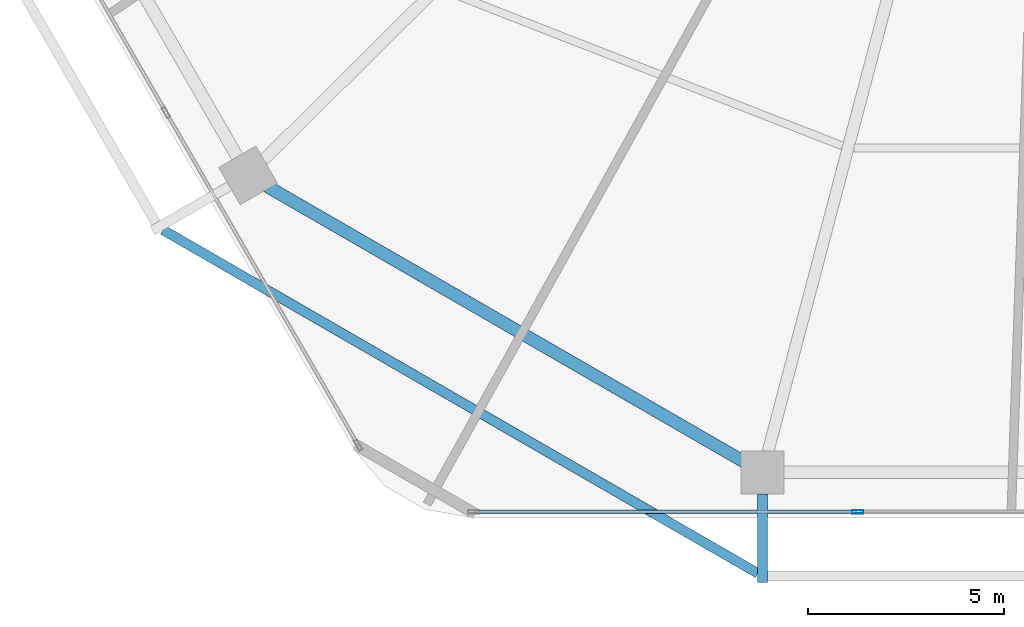
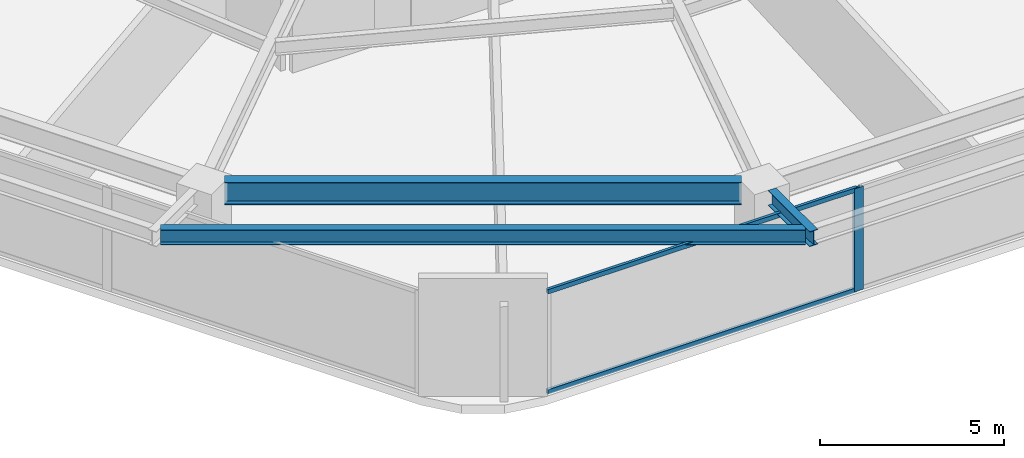
# One storey, part 3 of 28: 3 beams, 3 members, 1 element without a shape of its own.
"""IFC4 building model written with IfcOpenShell, lengths in metres."""

from ifc_helpers import new_model, si_unit, direction, frame, origin, origin_2d, place, context, subcontext, project, spatial, hollow_rectangle, i_section, extrude, material, material_profile, profile_set, type_object, element, aggregate, save


model = new_model("IFC4")

# Units and contexts
model_context = context("Model", 3, precision=1e-05, world=origin(), true_north=direction((0.0, 1.0)))
body_context = subcontext(model_context, "Body", "Model", "MODEL_VIEW")
ifc_project = project(units=[si_unit("LENGTHUNIT", "METRE"), si_unit("AREAUNIT", "SQUARE_METRE"), si_unit("VOLUMEUNIT", "CUBIC_METRE"), si_unit("PLANEANGLEUNIT", "RADIAN"), si_unit("MASSUNIT", "GRAM", prefix="KILO")], contexts=[model_context])

# Site, building, storey
site_placement = place(None, origin())
site = spatial("IfcSite", under=ifc_project, at=site_placement, CompositionType="ELEMENT")
building_placement = place(site_placement, origin())
building = spatial("IfcBuilding", under=site, at=building_placement, Name="Zuhravey Tower", CompositionType="ELEMENT")
storey_placement = place(building_placement, frame((0.0, 0.0, 79.199951171875)))
storey = spatial("IfcBuildingStorey", under=building, at=storey_placement, Name="L19", CompositionType="ELEMENT", Elevation=79.199951171875)

# Curtain wall, members
ifc_material_1 = material(Name="Thermally broken anodised aluminium", Category="aluminium")
curtain_wall_type = type_object("IfcCurtainWallType", Name="School Low-E Unitised Curtain Wall CW1", PredefinedType="NOTDEFINED", material=ifc_material_1)
curtain_wall_placement = place(storey_placement, origin())
curtain_wall = element("IfcCurtainWall", 1, at=curtain_wall_placement, inside=storey, type_object=curtain_wall_type, Name="L19 CW1 CW-L19-F5-1", PredefinedType="NOTDEFINED")
ifc_material_2 = material(Name="Anodised aluminium", Category="aluminium")
ifc_material_profile_1 = material_profile(ifc_material_2, hollow_rectangle(XDim=0.090087890625, YDim=0.284912109375, WallThickness=0.0048828125, at=origin_2d()), Name="ALU-RHS-90x285x5")
ifc_profile_set_1 = profile_set([ifc_material_profile_1], Name="Anodised aluminium")
member_type_1 = type_object("IfcMemberType", Name="Curtain-Wall Mullion 90x180", PredefinedType="MULLION", material=ifc_profile_set_1)
member_1_placement = place(storey_placement, frame((31.06689453125, 3.04150390625, 0.0), z_axis=(0.0, 0.0, 1.0), x_axis=(0.0, -1.0, 0.0)))
member_1 = element("IfcMember", 2, at=member_1_placement, type_object=member_type_1, Name="CW1 mullion 3", PredefinedType="MULLION", context=body_context, shape_type="SweptSolid", body=[
    extrude(hollow_rectangle(XDim=0.090087890625, YDim=0.284912109375, WallThickness=0.0048828125, at=origin_2d()), origin(), (0.0, 0.0, 1.0), 3.420166015625),
])
ifc_material_profile_2 = material_profile(ifc_material_2, hollow_rectangle(XDim=0.090087890625, YDim=0.14990234375, WallThickness=0.0048828125, at=origin_2d()), Name="ALU-RHS-90x150x5")
ifc_profile_set_2 = profile_set([ifc_material_profile_2], Name="Anodised aluminium")
member_type_2 = type_object("IfcMemberType", Name="Curtain-Wall Transom 90x150", PredefinedType="USERDEFINED", material=ifc_profile_set_2)
member_2_placement = place(storey_placement, frame((31.021728515625, 3.04150390625, 0.045166015625), z_axis=(-1.0, 0.0, 0.0), x_axis=(0.0, -1.0, 0.0)))
member_2 = element("IfcMember", 3, at=member_2_placement, type_object=member_type_2, Name="CW1 transom 3.1", ObjectType="TRANSOM", PredefinedType="USERDEFINED", context=body_context, shape_type="SweptSolid", body=[
    extrude(hollow_rectangle(XDim=0.090087890625, YDim=0.14990234375, WallThickness=0.0048828125, at=origin_2d()), origin(), (0.0, 0.0, 1.0), 9.731201171875),
])
member_3_placement = place(storey_placement, frame((31.021728515625, 3.04150390625, 3.375), z_axis=(-1.0, 0.0, 0.0), x_axis=(0.0, -1.0, 0.0)))
member_3 = element("IfcMember", 4, at=member_3_placement, type_object=member_type_2, Name="CW1 transom 3.2", ObjectType="TRANSOM", PredefinedType="USERDEFINED", context=body_context, shape_type="SweptSolid", body=[
    extrude(hollow_rectangle(XDim=0.090087890625, YDim=0.14990234375, WallThickness=0.0048828125, at=origin_2d()), origin(), (0.0, 0.0, 1.0), 9.731201171875),
])
aggregate(curtain_wall, [member_1, member_2, member_3])

# Beams
ifc_material_3 = material(Name="Steel SM355", Category="steel")
ifc_material_profile_3 = material_profile(ifc_material_3, i_section(OverallWidth=0.320068359375, OverallDepth=0.75, WebThickness=0.013916015625, FlangeThickness=0.02490234375, at=origin_2d()), Name="H-750x320x14x25")
ifc_profile_set_3 = profile_set([ifc_material_profile_3], Name="Steel SM355")
beam_type_1 = type_object("IfcBeamType", Name="Perimeter Ring Beam H750x320", PredefinedType="BEAM", material=ifc_profile_set_3)
beam_1_placement = place(storey_placement, frame((15.9599609375, 11.36669921875, 3.545166015625), z_axis=(0.866017786538, -0.500013193225, 0.0), x_axis=(0.500013193225, 0.866017786538, 0.0)))
element("IfcBeam", 5, at=beam_1_placement, inside=storey, type_object=beam_type_1, Name="L19 PB1 BM-L19-PB-08", PredefinedType="BEAM", context=body_context, shape_type="SweptSolid", body=[
    extrude(i_section(OverallWidth=0.320068359375, OverallDepth=0.75, WebThickness=0.013916015625, FlangeThickness=0.02490234375, at=origin_2d()), origin(), (0.0, 0.0, 1.0), 14.0771484375),
])
ifc_material_profile_4 = material_profile(ifc_material_3, i_section(OverallWidth=0.25, OverallDepth=0.5, WebThickness=0.010009765625, FlangeThickness=0.01611328125, at=origin_2d()), Name="H-500x250x10x16")
ifc_profile_set_4 = profile_set([ifc_material_profile_4], Name="Steel SM355")
beam_type_2 = type_object("IfcBeamType", Name="Tray Cantilever Spandrel H500x250", PredefinedType="SPANDREL", material=ifc_profile_set_4)
beam_2_placement = place(storey_placement, frame((28.6298828125, 3.49755859375, 3.670166015625), z_axis=(0.0, -1.0, 0.0), x_axis=(1.0, 0.0, 0.0)))
element("IfcBeam", 6, at=beam_2_placement, inside=storey, type_object=beam_type_2, Name="L19 Sky-Tray Cantilever Arm TSB1-R09", PredefinedType="SPANDREL", context=body_context, shape_type="SweptSolid", body=[
    extrude(i_section(OverallWidth=0.25, OverallDepth=0.5, WebThickness=0.010009765625, FlangeThickness=0.01611328125, at=origin_2d()), origin(), (0.0, 0.0, 1.0), 2.26611328125),
])
beam_3_placement = place(storey_placement, frame((13.30712890625, 10.248046875, 3.670166015625), z_axis=(0.866027161532, -0.49999695548, 0.0), x_axis=(0.49999695548, 0.866027161532, 0.0)))
element("IfcBeam", 7, at=beam_3_placement, inside=storey, type_object=beam_type_2, Name="L19 Sky-Tray Edge Spandrel TSB1-08", PredefinedType="SPANDREL", context=body_context, shape_type="SweptSolid", body=[
    extrude(i_section(OverallWidth=0.25, OverallDepth=0.5, WebThickness=0.010009765625, FlangeThickness=0.01611328125, at=origin_2d()), origin(), (0.0, 0.0, 1.0), 17.55322265625),
])

save(model, "model.ifc")
